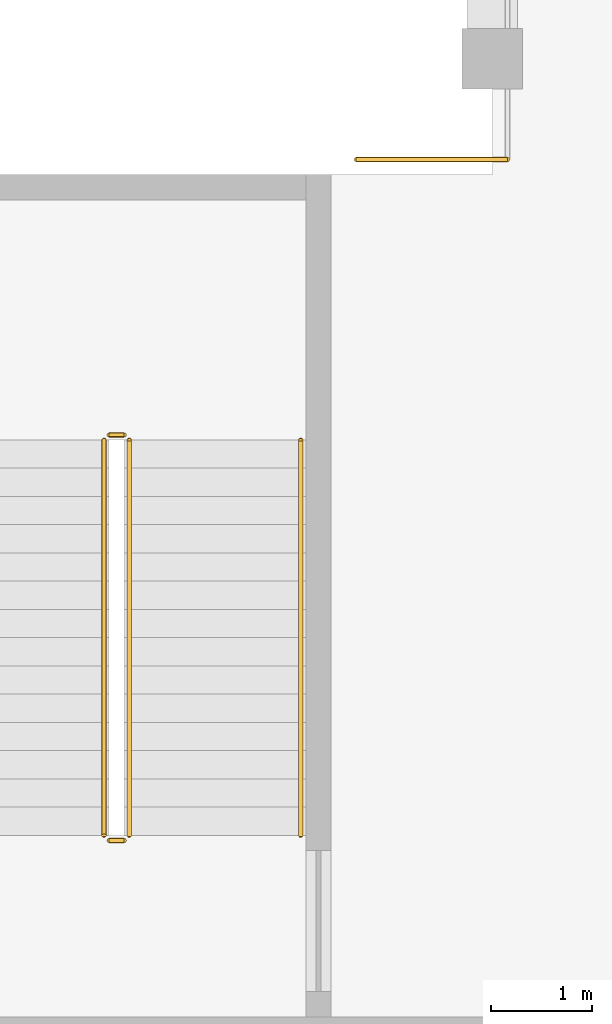
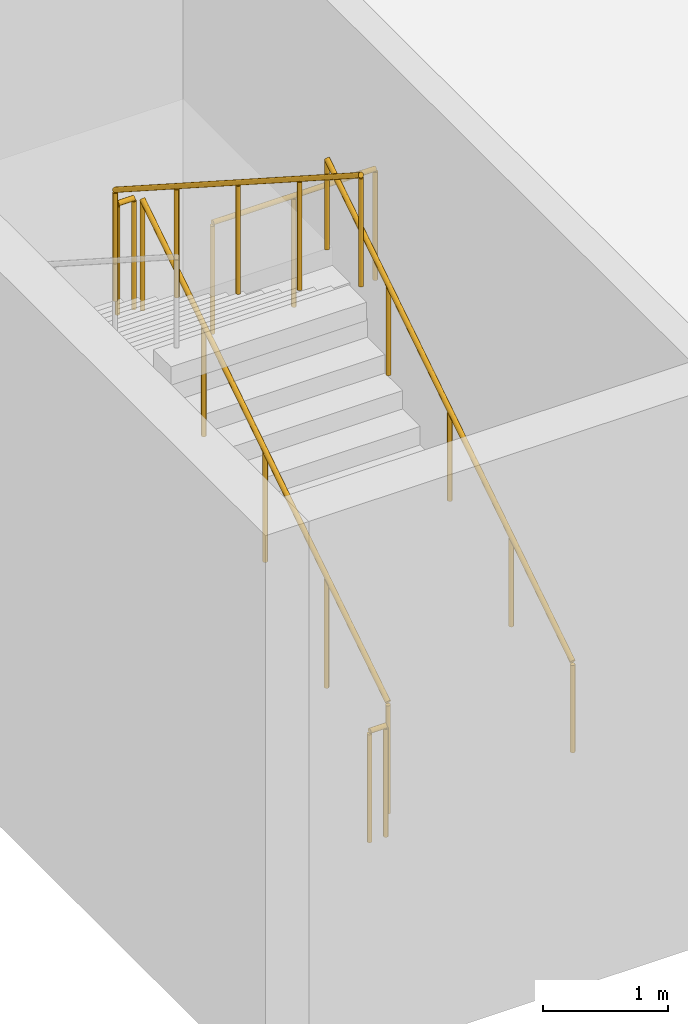
# One storey, part 39 of 44: 6 railings.
"""IFC4 building model written with IfcOpenShell, lengths in metres."""

from ifc_helpers import new_model, si_unit, direction, frame, origin, origin_2d, place, context, subcontext, project, spatial, circle, extrude, material, type_object, element, save


model = new_model("IFC4")

# Units and contexts
model_context = context("Model", 3, precision=1e-05, world=origin(), true_north=direction((0.0, 1.0)))
body_context = subcontext(model_context, "Body", "Model", "MODEL_VIEW")
ifc_project = project(units=[si_unit("LENGTHUNIT", "METRE"), si_unit("AREAUNIT", "SQUARE_METRE"), si_unit("VOLUMEUNIT", "CUBIC_METRE"), si_unit("PLANEANGLEUNIT", "RADIAN"), si_unit("MASSUNIT", "GRAM", prefix="KILO")], contexts=[model_context])

# Site, building, storey
site_placement = place(None, origin())
site = spatial("IfcSite", under=ifc_project, at=site_placement, CompositionType="ELEMENT")
building_placement = place(site_placement, origin())
building = spatial("IfcBuilding", under=site, at=building_placement, Name="Hunhe Ridgeline Campus", CompositionType="ELEMENT")
storey_placement = place(building_placement, frame((0.0, 0.0, 6.0)))
storey = spatial("IfcBuildingStorey", under=building, at=storey_placement, Name="L01", CompositionType="ELEMENT", Elevation=6.0)

# Railings
ifc_material_1 = material(Name="Glass and steel", Category="steel")
railing_type_1 = type_object("IfcRailingType", Name="Hall glass guard 1100", PredefinedType="GUARDRAIL", material=ifc_material_1)
railing_1_placement = place(storey_placement, frame((154.64990234375, 31.39990234375, 0.0)))
element("IfcRailing", 1, at=railing_1_placement, inside=storey, type_object=railing_type_1, Name="L01 atrium guard south", PredefinedType="GUARDRAIL", context=body_context, shape_type="SweptSolid", body=[
    extrude(circle(Radius=0.02392578125, at=origin_2d()), frame((0.0, 0.0, 1.076171875), z_axis=(1.0, 0.0, 0.0), x_axis=(0.0, 1.0, 0.0)), (0.0, 0.0, 1.0), 1.5),
    extrude(circle(Radius=0.02099609375, at=origin_2d()), origin(), (0.0, 0.0, 1.0), 1.052001953125),
    extrude(circle(Radius=0.02099609375, at=origin_2d()), frame((0.75, 0.0, 0.0)), (0.0, 0.0, 1.0), 1.052001953125),
    extrude(circle(Radius=0.02099609375, at=origin_2d()), frame((1.5, 0.0, 0.0)), (0.0, 0.0, 1.0), 1.052001953125),
])
ifc_material_2 = material(Name="Steel Q235", Category="steel")
railing_type_2 = type_object("IfcRailingType", Name="Hall stair guard 1100", PredefinedType="GUARDRAIL", material=ifc_material_2)
railing_2_placement = place(storey_placement, frame((152.39990234375, 24.699951171875, 0.179931640625)))
element("IfcRailing", 2, at=railing_2_placement, inside=storey, type_object=railing_type_2, Name="L01 HS1 stair guard 1", PredefinedType="GUARDRAIL", context=body_context, shape_type="SweptSolid", body=[
    extrude(circle(Radius=0.02392578125, at=origin_2d()), frame((0.0, 0.0, 1.076171875), z_axis=(0.0, 0.841186985886, 0.540744352514), x_axis=(-1.0, 0.0, 0.0)), (0.0, 0.0, 1.0), 4.660400390625),
    extrude(circle(Radius=0.02099609375, at=origin_2d()), origin(), (0.0, 0.0, 1.0), 1.052001953125),
    extrude(circle(Radius=0.02099609375, at=origin_2d()), frame((0.0, 0.97998046875, 0.6298828125)), (0.0, 0.0, 1.0), 1.052001953125),
    extrude(circle(Radius=0.02099609375, at=origin_2d()), frame((0.0, 1.9599609375, 1.260009765625)), (0.0, 0.0, 1.0), 1.052001953125),
    extrude(circle(Radius=0.02099609375, at=origin_2d()), frame((0.0, 2.940185546875, 1.89013671875)), (0.0, 0.0, 1.0), 1.052001953125),
    extrude(circle(Radius=0.02099609375, at=origin_2d()), frame((0.0, 3.920166015625, 2.52001953125)), (0.0, 0.0, 1.0), 1.052001953125),
])
railing_3_placement = place(storey_placement, frame((152.35009765625, 28.669921875, 2.699951171875)))
element("IfcRailing", 3, at=railing_3_placement, inside=storey, type_object=railing_type_2, Name="L01 HS1 stair guard 2", PredefinedType="GUARDRAIL", context=body_context, shape_type="SweptSolid", body=[
    extrude(circle(Radius=0.02392578125, at=origin_2d()), frame((0.0, 0.0, 1.076171875), z_axis=(-1.0, 0.0, 0.0), x_axis=(0.0, -1.0, 0.0)), (0.0, 0.0, 1.0), 0.150146484375),
    extrude(circle(Radius=0.02099609375, at=origin_2d()), origin(), (0.0, 0.0, 1.0), 1.052001953125),
    extrude(circle(Radius=0.02099609375, at=origin_2d()), frame((-0.150146484375, 0.0, 0.0)), (0.0, 0.0, 1.0), 1.052001953125),
])
railing_4_placement = place(storey_placement, frame((152.14990234375, 28.6201171875, 2.8798828125)))
element("IfcRailing", 4, at=railing_4_placement, inside=storey, type_object=railing_type_2, Name="L01 HS1 stair guard 3", PredefinedType="GUARDRAIL", context=body_context, shape_type="SweptSolid", body=[
    extrude(circle(Radius=0.02392578125, at=origin_2d()), frame((0.0, 0.0, 1.076171875), z_axis=(0.0, -0.841186985886, 0.540744352514), x_axis=(1.0, 0.0, 0.0)), (0.0, 0.0, 1.0), 4.660400390625),
    extrude(circle(Radius=0.02099609375, at=origin_2d()), origin(), (0.0, 0.0, 1.0), 1.052001953125),
    extrude(circle(Radius=0.02099609375, at=origin_2d()), frame((0.0, -0.97998046875, 0.6298828125)), (0.0, 0.0, 1.0), 1.052001953125),
    extrude(circle(Radius=0.02099609375, at=origin_2d()), frame((0.0, -1.9599609375, 1.260009765625)), (0.0, 0.0, 1.0), 1.052001953125),
    extrude(circle(Radius=0.02099609375, at=origin_2d()), frame((0.0, -2.940185546875, 1.89013671875)), (0.0, 0.0, 1.0), 1.052001953125),
    extrude(circle(Radius=0.02099609375, at=origin_2d()), frame((0.0, -3.920166015625, 2.52001953125)), (0.0, 0.0, 1.0), 1.052001953125),
])
railing_5_placement = place(storey_placement, frame((152.35009765625, 24.64990234375, 0.0)))
element("IfcRailing", 5, at=railing_5_placement, inside=storey, type_object=railing_type_2, Name="L01 HS1 stair guard 4", PredefinedType="GUARDRAIL", context=body_context, shape_type="SweptSolid", body=[
    extrude(circle(Radius=0.02392578125, at=origin_2d()), frame((0.0, 0.0, 1.076171875), z_axis=(-1.0, 0.0, 0.0), x_axis=(0.0, -1.0, 0.0)), (0.0, 0.0, 1.0), 0.150146484375),
    extrude(circle(Radius=0.02099609375, at=origin_2d()), origin(), (0.0, 0.0, 1.0), 1.052001953125),
    extrude(circle(Radius=0.02099609375, at=origin_2d()), frame((-0.150146484375, 0.0, 0.0)), (0.0, 0.0, 1.0), 1.052001953125),
])
railing_type_3 = type_object("IfcRailingType", Name="Hall stair handrail", PredefinedType="HANDRAIL", material=ifc_material_2)
railing_6_placement = place(storey_placement, frame((154.10009765625, 24.699951171875, 0.179931640625)))
element("IfcRailing", 6, at=railing_6_placement, inside=storey, type_object=railing_type_3, Name="L01 HS1 stair handrail 1", PredefinedType="HANDRAIL", context=body_context, shape_type="SweptSolid", body=[
    extrude(circle(Radius=0.02392578125, at=origin_2d()), frame((0.0, 0.0, 0.8759765625), z_axis=(0.0, 0.841186985886, 0.540744352514), x_axis=(-1.0, 0.0, 0.0)), (0.0, 0.0, 1.0), 4.660400390625),
    extrude(circle(Radius=0.02099609375, at=origin_2d()), origin(), (0.0, 0.0, 1.0), 0.851806640625),
    extrude(circle(Radius=0.02099609375, at=origin_2d()), frame((0.0, 0.97998046875, 0.6298828125)), (0.0, 0.0, 1.0), 0.851806640625),
    extrude(circle(Radius=0.02099609375, at=origin_2d()), frame((0.0, 1.9599609375, 1.260009765625)), (0.0, 0.0, 1.0), 0.851806640625),
    extrude(circle(Radius=0.02099609375, at=origin_2d()), frame((0.0, 2.940185546875, 1.89013671875)), (0.0, 0.0, 1.0), 0.851806640625),
    extrude(circle(Radius=0.02099609375, at=origin_2d()), frame((0.0, 3.920166015625, 2.52001953125)), (0.0, 0.0, 1.0), 0.851806640625),
])

save(model, "model.ifc")
